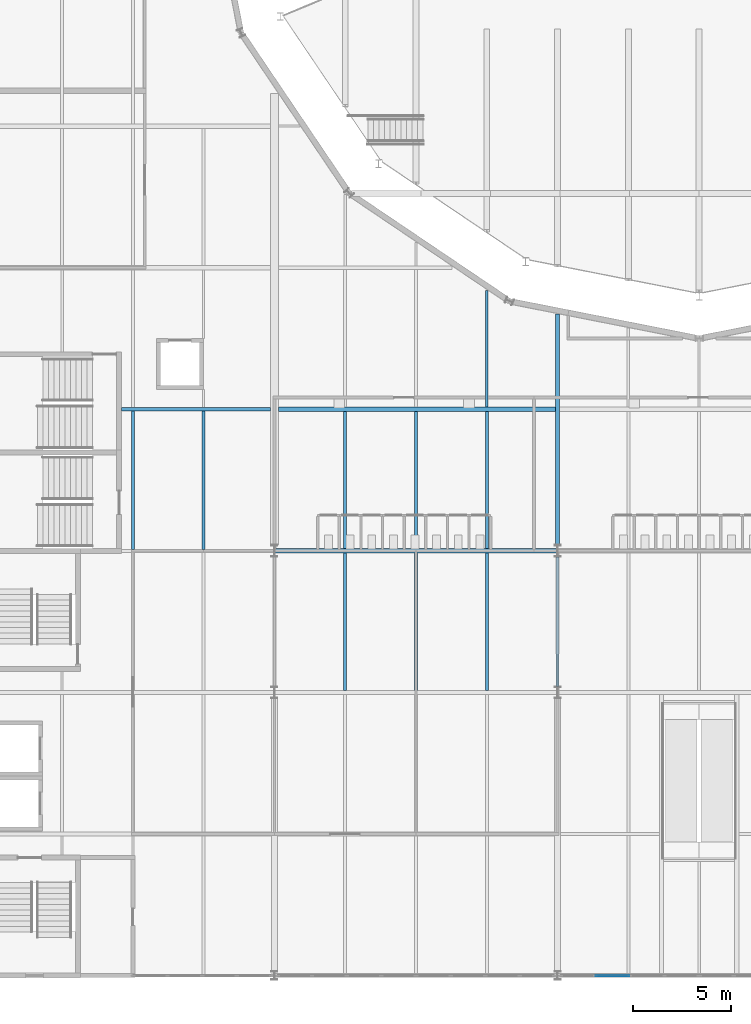
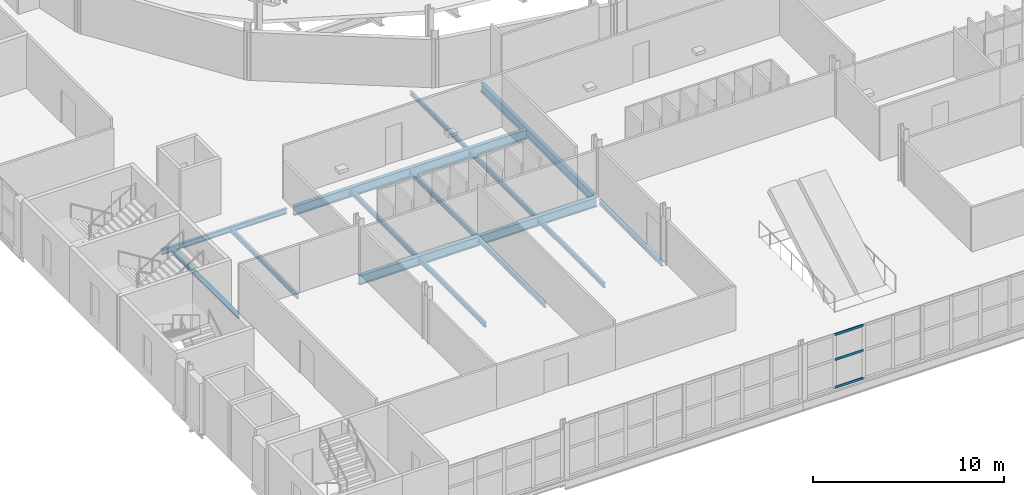
# One storey, part 29 of 124: 14 beams, 3 members, 1 element without a shape of its own.
"""IFC4 building model written with IfcOpenShell, lengths in metres."""

from ifc_helpers import new_model, si_unit, direction, frame, origin, origin_2d, place, context, subcontext, project, spatial, rectangle, i_section, extrude, material, material_profile, profile_set, type_object, element, aggregate, save


model = new_model("IFC4")

# Units and contexts
model_context = context("Model", 3, precision=1e-05, world=origin(), true_north=direction((0.0, 1.0)))
body_context = subcontext(model_context, "Body", "Model", "MODEL_VIEW")
ifc_project = project(units=[si_unit("LENGTHUNIT", "METRE"), si_unit("AREAUNIT", "SQUARE_METRE"), si_unit("VOLUMEUNIT", "CUBIC_METRE"), si_unit("PLANEANGLEUNIT", "RADIAN"), si_unit("MASSUNIT", "GRAM", prefix="KILO")], contexts=[model_context])

# Site, building, storey
site_placement = place(None, origin())
site = spatial("IfcSite", under=ifc_project, at=site_placement, CompositionType="ELEMENT")
building_placement = place(site_placement, origin())
building = spatial("IfcBuilding", under=site, at=building_placement, Name="Kupolbacken Congress Centre", CompositionType="ELEMENT")
storey_placement = place(building_placement, frame((0.0, 0.0, 10.800048828125)))
storey = spatial("IfcBuildingStorey", under=building, at=storey_placement, Name="L03", CompositionType="ELEMENT", Elevation=10.800048828125)

# Beams
ifc_material_1 = material(Name="Steel S355", Category="steel")
ifc_material_profile_1 = material_profile(ifc_material_1, i_section(OverallWidth=0.135009765625, OverallDepth=0.27001953125, WebThickness=0.006591796875, FlangeThickness=0.01025390625, FilletRadius=0.014892578125, at=origin_2d()), Name="IPE 270")
ifc_profile_set_1 = profile_set([ifc_material_profile_1], Name="Steel S355")
beam_type_1 = type_object("IfcBeamType", Name="B03 beam IPE 270", PredefinedType="BEAM", material=ifc_profile_set_1)
beam_1_placement = place(storey_placement, frame((32.39990234375, 57.7099609375, -0.31494140625), z_axis=(0.0, 1.0, 0.0), x_axis=(-1.0, 0.0, 0.0)))
element("IfcBeam", 1, at=beam_1_placement, inside=storey, type_object=beam_type_1, Name="S/floor/P/L03/S109", PredefinedType="BEAM", context=body_context, shape_type="SweptSolid", body=[
    extrude(i_section(OverallWidth=0.135009765625, OverallDepth=0.27001953125, WebThickness=0.006591796875, FlangeThickness=0.01025390625, FilletRadius=0.014892578125, at=origin_2d()), origin(), (0.0, 0.0, 1.0), 5.939697265625),
])
ifc_material_2 = material(Name="Steel S355", Category="steel")
ifc_material_profile_2 = material_profile(ifc_material_2, i_section(OverallWidth=0.14990234375, OverallDepth=0.300048828125, WebThickness=0.007080078125, FlangeThickness=0.0107421875, FilletRadius=0.014892578125, at=origin_2d()), Name="IPE 300")
ifc_profile_set_2 = profile_set([ifc_material_profile_2], Name="Steel S355")
beam_type_2 = type_object("IfcBeamType", Name="B04 beam IPE 300", PredefinedType="BEAM", material=ifc_profile_set_2)
beam_2_placement = place(storey_placement, frame((36.0, 43.5, -0.330078125), z_axis=(0.0, 1.0, 0.0), x_axis=(-1.0, 0.0, 0.0)))
element("IfcBeam", 2, at=beam_2_placement, inside=storey, type_object=beam_type_2, Name="S/floor/F/L03/G007", PredefinedType="BEAM", context=body_context, shape_type="SweptSolid", body=[
    extrude(i_section(OverallWidth=0.14990234375, OverallDepth=0.300048828125, WebThickness=0.007080078125, FlangeThickness=0.0107421875, FilletRadius=0.014892578125, at=origin_2d()), origin(), (0.0, 0.0, 1.0), 6.60009765625),
])
for number, where, z_axis, x_axis, name in (
    (3, (25.199951171875, 43.31005859375, -0.330078125), (0.0, 1.0, 0.0), (-1.0, 0.0, 0.0), "S/floor/F/L03/S051"),
    (4, (28.800048828125, 43.31005859375, -0.330078125), (0.0, 1.0, 0.0), (-1.0, 0.0, 0.0), "S/floor/F/L03/S054"),
    (5, (32.39990234375, 43.31005859375, -0.330078125), (0.0, 1.0, 0.0), (-1.0, 0.0, 0.0), "S/floor/F/L03/S057"),
):
    element("IfcBeam", number, at=place(storey_placement, frame(where, z_axis=z_axis, x_axis=x_axis)), inside=storey, type_object=beam_type_2, Name=name, PredefinedType="BEAM", context=body_context, shape_type="SweptSolid", body=[
        extrude(i_section(OverallWidth=0.14990234375, OverallDepth=0.300048828125, WebThickness=0.007080078125, FlangeThickness=0.0107421875, FilletRadius=0.014892578125, at=origin_2d()), origin(), (0.0, 0.0, 1.0), 6.97998046875),
    ])
beam_3_placement = place(storey_placement, frame((14.39990234375, 50.48095703125, -0.330078125), z_axis=(0.0, 1.0, 0.0), x_axis=(-1.0, 0.0, 0.0)))
element("IfcBeam", 6, at=beam_3_placement, inside=storey, type_object=beam_type_2, Name="S/floor/P/L03/S085", PredefinedType="BEAM", context=body_context, shape_type="SweptSolid", body=[
    extrude(i_section(OverallWidth=0.14990234375, OverallDepth=0.300048828125, WebThickness=0.007080078125, FlangeThickness=0.0107421875, FilletRadius=0.014892578125, at=origin_2d()), origin(), (0.0, 0.0, 1.0), 7.0390625),
])
for number, where, z_axis, x_axis, name in (
    (7, (25.199951171875, 50.510009765625, -0.330078125), (0.0, 1.0, 0.0), (-1.0, 0.0, 0.0), "S/floor/P/L03/S096"),
    (8, (28.800048828125, 50.510009765625, -0.330078125), (0.0, 1.0, 0.0), (-1.0, 0.0, 0.0), "S/floor/P/L03/S102"),
    (9, (32.39990234375, 50.510009765625, -0.330078125), (0.0, 1.0, 0.0), (-1.0, 0.0, 0.0), "S/floor/P/L03/S108"),
):
    element("IfcBeam", number, at=place(storey_placement, frame(where, z_axis=z_axis, x_axis=x_axis)), inside=storey, type_object=beam_type_2, Name=name, PredefinedType="BEAM", context=body_context, shape_type="SweptSolid", body=[
        extrude(i_section(OverallWidth=0.14990234375, OverallDepth=0.300048828125, WebThickness=0.007080078125, FlangeThickness=0.0107421875, FilletRadius=0.014892578125, at=origin_2d()), origin(), (0.0, 0.0, 1.0), 6.97998046875),
    ])
beam_4_placement = place(storey_placement, frame((18.0, 50.48095703125, -0.330078125), z_axis=(0.0, 1.0, 0.0), x_axis=(-1.0, 0.0, 0.0)))
element("IfcBeam", 10, at=beam_4_placement, inside=storey, type_object=beam_type_2, Name="S/floor/P/L03/S161", PredefinedType="BEAM", context=body_context, shape_type="SweptSolid", body=[
    extrude(i_section(OverallWidth=0.14990234375, OverallDepth=0.300048828125, WebThickness=0.007080078125, FlangeThickness=0.0107421875, FilletRadius=0.014892578125, at=origin_2d()), origin(), (0.0, 0.0, 1.0), 7.0390625),
])
ifc_material_3 = material(Name="Steel S355", Category="steel")
ifc_material_profile_3 = material_profile(ifc_material_3, i_section(OverallWidth=0.159912109375, OverallDepth=0.330078125, WebThickness=0.007568359375, FlangeThickness=0.011474609375, FilletRadius=0.01806640625, at=origin_2d()), Name="IPE 330")
ifc_profile_set_3 = profile_set([ifc_material_profile_3], Name="Steel S355")
beam_type_3 = type_object("IfcBeamType", Name="B05 beam IPE 330", PredefinedType="BEAM", material=ifc_profile_set_3)
beam_5_placement = place(storey_placement, frame((13.824951171875, 57.60009765625, -0.344970703125), z_axis=(1.0, 0.0, 0.0), x_axis=(0.0, 1.0, 0.0)))
element("IfcBeam", 11, at=beam_5_placement, inside=storey, type_object=beam_type_3, Name="S/floor/P/L03/R038", PredefinedType="BEAM", context=body_context, shape_type="SweptSolid", body=[
    extrude(i_section(OverallWidth=0.159912109375, OverallDepth=0.330078125, WebThickness=0.007568359375, FlangeThickness=0.011474609375, FilletRadius=0.01806640625, at=origin_2d()), origin(), (0.0, 0.0, 1.0), 7.574951171875),
])
ifc_material_4 = material(Name="Steel S355", Category="steel")
ifc_material_profile_4 = material_profile(ifc_material_4, i_section(OverallWidth=0.2099609375, OverallDepth=0.550048828125, WebThickness=0.010986328125, FlangeThickness=0.01708984375, FilletRadius=0.02392578125, at=origin_2d()), Name="IPE 550")
ifc_profile_set_4 = profile_set([ifc_material_profile_4], Name="Steel S355")
beam_type_4 = type_object("IfcBeamType", Name="B10 beam IPE 550", PredefinedType="BEAM", material=ifc_profile_set_4)
beam_6_placement = place(storey_placement, frame((36.0, 50.699951171875, -0.455078125), z_axis=(0.0, 1.0, 0.0), x_axis=(-1.0, 0.0, 0.0)))
element("IfcBeam", 12, at=beam_6_placement, inside=storey, type_object=beam_type_4, Name="S/floor/P/L03/G025", PredefinedType="BEAM", context=body_context, shape_type="SweptSolid", body=[
    extrude(i_section(OverallWidth=0.2099609375, OverallDepth=0.550048828125, WebThickness=0.010986328125, FlangeThickness=0.01708984375, FilletRadius=0.02392578125, at=origin_2d()), origin(), (0.0, 0.0, 1.0), 11.744140625),
])
ifc_material_5 = material(Name="Steel S355", Category="steel")
ifc_material_profile_5 = material_profile(ifc_material_5, i_section(OverallWidth=0.219970703125, OverallDepth=0.60009765625, WebThickness=0.011962890625, FlangeThickness=0.01904296875, FilletRadius=0.02392578125, at=origin_2d()), Name="IPE 600")
ifc_profile_set_5 = profile_set([ifc_material_profile_5], Name="Steel S355")
beam_type_5 = type_object("IfcBeamType", Name="B11 beam IPE 600", PredefinedType="BEAM", material=ifc_profile_set_5)
beam_7_placement = place(storey_placement, frame((21.607666015625, 50.39990234375, -0.47998046875), z_axis=(1.0, 0.0, 0.0), x_axis=(0.0, 1.0, 0.0)))
element("IfcBeam", 13, at=beam_7_placement, inside=storey, type_object=beam_type_5, Name="S/floor/F/L03/R026", PredefinedType="BEAM", context=body_context, shape_type="SweptSolid", body=[
    extrude(i_section(OverallWidth=0.219970703125, OverallDepth=0.60009765625, WebThickness=0.011962890625, FlangeThickness=0.01904296875, FilletRadius=0.02392578125, at=origin_2d()), origin(), (0.0, 0.0, 1.0), 14.384521484375),
])
beam_8_placement = place(storey_placement, frame((21.800048828125, 57.60009765625, -0.47998046875), z_axis=(1.0, 0.0, 0.0), x_axis=(0.0, 1.0, 0.0)))
element("IfcBeam", 14, at=beam_8_placement, inside=storey, type_object=beam_type_5, Name="S/floor/P/L03/R039", PredefinedType="BEAM", context=body_context, shape_type="SweptSolid", body=[
    extrude(i_section(OverallWidth=0.219970703125, OverallDepth=0.60009765625, WebThickness=0.011962890625, FlangeThickness=0.01904296875, FilletRadius=0.02392578125, at=origin_2d()), origin(), (0.0, 0.0, 1.0), 14.094970703125),
])

# Curtain wall, members
ifc_material_6 = material(Name="Aluminium mullion-transom frame with glass", Category="aluminium")
curtain_wall_type = type_object("IfcCurtainWallType", Name="CW1 curtain wall 7200x3600", PredefinedType="NOTDEFINED", material=ifc_material_6)
curtain_wall_placement = place(storey_placement, origin())
curtain_wall = element("IfcCurtainWall", 15, at=curtain_wall_placement, inside=storey, type_object=curtain_wall_type, Name="E/F/S/L03/331", PredefinedType="NOTDEFINED")
ifc_material_7 = material(Name="Aluminium alloy", Category="aluminium")
ifc_material_profile_6 = material_profile(ifc_material_7, rectangle(XDim=0.050048828125, YDim=0.14990234375, at=origin_2d()), Name="50 x 150")
ifc_profile_set_6 = profile_set([ifc_material_profile_6], Name="Aluminium alloy")
member_type = type_object("IfcMemberType", Name="TR2 transom 50x150", PredefinedType="MULLION", material=ifc_profile_set_6)
member_1_placement = place(storey_placement, frame((37.9375, 28.800048828125, 0.02490234375), z_axis=(1.0, 0.0, 0.0), x_axis=(0.0, 1.0, 0.0)))
member_1 = element("IfcMember", 16, at=member_1_placement, type_object=member_type, Name="CW1 transom 2.1", PredefinedType="MULLION", context=body_context, shape_type="SweptSolid", body=[
    extrude(rectangle(XDim=0.050048828125, YDim=0.14990234375, at=origin_2d()), origin(), (0.0, 0.0, 1.0), 1.71240234375),
])
member_2_placement = place(storey_placement, frame((37.9375, 28.800048828125, 1.800048828125), z_axis=(1.0, 0.0, 0.0), x_axis=(0.0, 1.0, 0.0)))
member_2 = element("IfcMember", 17, at=member_2_placement, type_object=member_type, Name="CW1 transom 2.2", PredefinedType="MULLION", context=body_context, shape_type="SweptSolid", body=[
    extrude(rectangle(XDim=0.050048828125, YDim=0.14990234375, at=origin_2d()), origin(), (0.0, 0.0, 1.0), 1.71240234375),
])
member_3_placement = place(storey_placement, frame((37.9375, 28.800048828125, 3.39501953125), z_axis=(1.0, 0.0, 0.0), x_axis=(0.0, 1.0, 0.0)))
member_3 = element("IfcMember", 18, at=member_3_placement, type_object=member_type, Name="CW1 transom 2.3", PredefinedType="MULLION", context=body_context, shape_type="SweptSolid", body=[
    extrude(rectangle(XDim=0.050048828125, YDim=0.14990234375, at=origin_2d()), origin(), (0.0, 0.0, 1.0), 1.71240234375),
])
aggregate(curtain_wall, [member_1, member_2, member_3])

save(model, "model.ifc")
